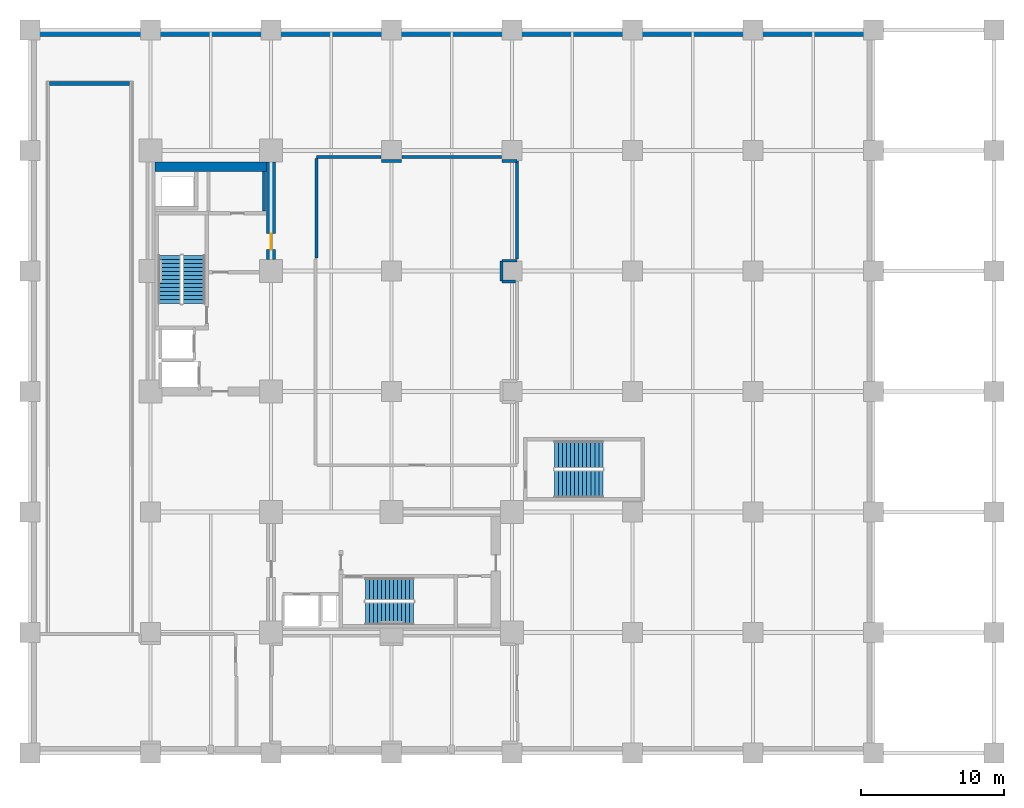
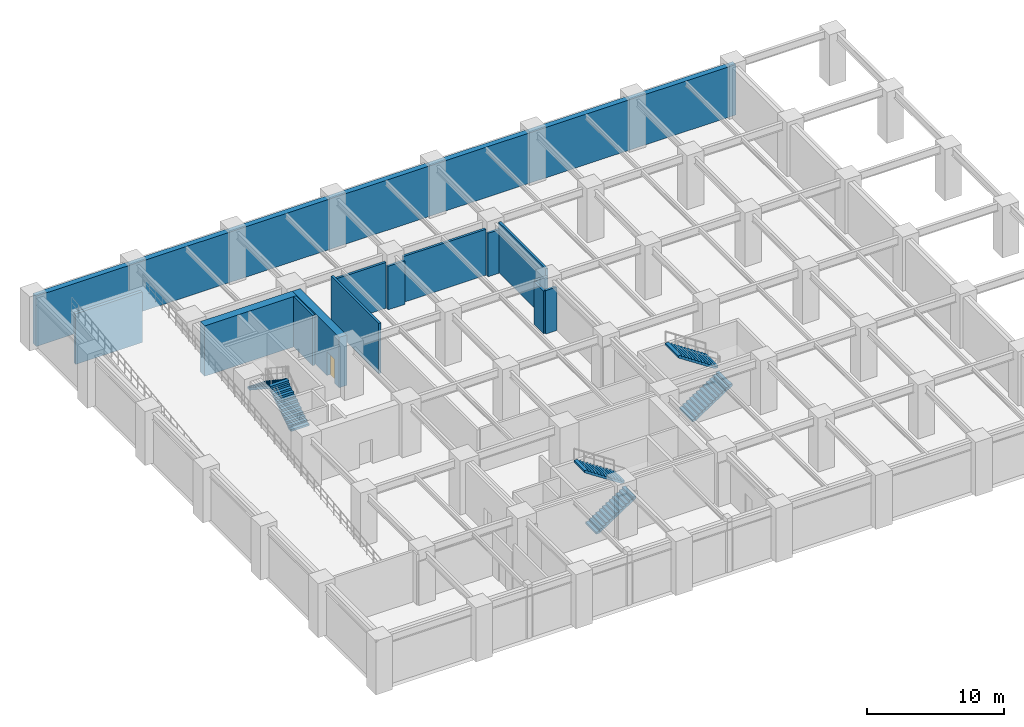
# One storey, part 5 of 7: 14 walls, 6 stair flights, 1 door, 1 opening, 3 elements without a shape of their own.
"""IFC4 building model written with IfcOpenShell, lengths in metres."""

from ifc_helpers import new_model, si_unit, direction, frame, frame_2d, origin, place, context, subcontext, project, spatial, polyline, rectangle, outline, extrude, material, layer, layer_set, type_object, element, fill, aggregate, save


model = new_model("IFC4")

# Units and contexts
model_context = context("Model", 3, precision=1e-05, world=origin(), true_north=direction((0.0, 1.0)))
body_context = subcontext(model_context, "Body", "Model", "MODEL_VIEW")
ifc_project = project(units=[si_unit("LENGTHUNIT", "METRE"), si_unit("AREAUNIT", "SQUARE_METRE"), si_unit("VOLUMEUNIT", "CUBIC_METRE"), si_unit("PLANEANGLEUNIT", "RADIAN"), si_unit("MASSUNIT", "GRAM", prefix="KILO")], contexts=[model_context])

# Site, building, storey
site_placement = place(None, origin())
site = spatial("IfcSite", under=ifc_project, at=site_placement, CompositionType="ELEMENT")
building_placement = place(site_placement, origin())
building = spatial("IfcBuilding", under=site, at=building_placement, Name="Nerrivon Quay Data Exchange", CompositionType="ELEMENT")
storey_placement = place(building_placement, frame((0.0, 0.0, -4.800048828125)))
storey = spatial("IfcBuildingStorey", under=building, at=storey_placement, Name="B01", CompositionType="ELEMENT", Elevation=-4.800048828125)

# Wall
ifc_material_1 = material(Name="Concrete N80 (80 MPa)", Category="concrete")
ifc_layer_1 = layer(ifc_material_1, 0.64990234375)
ifc_layer_set_1 = layer_set([ifc_layer_1], Name="Concrete N80 (80 MPa)")
wall_type_1 = type_object("IfcWallType", Name="WALL-CW-850", PredefinedType="SHEAR", material=ifc_layer_set_1)
wall_1_placement = place(storey_placement, frame((8.72509765625, 40.875, 0.0), z_axis=(0.0, 0.0, 1.0), x_axis=(1.0, 0.0, 0.0)))
element("IfcWall", 1, at=wall_1_placement, inside=storey, type_object=wall_type_1, Name="B01 West Split-Core Shear Wall WCW-N1", PredefinedType="SHEAR", context=body_context, shape_type="SweptSolid", body=[
    extrude(rectangle(XDim=7.75, YDim=0.64990234375, at=frame_2d((3.875, 0.0))), origin(), (0.0, 0.0, 1.0), 4.47998046875),
])

# Wall, opening, door
wall_2_placement = place(storey_placement, frame((16.800048828125, 34.39990234375, 0.0), z_axis=(0.0, 0.0, 1.0), x_axis=(0.0, 1.0, 0.0)))
wall_2 = element("IfcWall", 2, at=wall_2_placement, inside=storey, type_object=wall_type_1, Name="B01 West Split-Core Shear Wall WCW-E1", PredefinedType="SHEAR", context=body_context, shape_type="SweptSolid", body=[
    extrude(rectangle(XDim=6.800048828125, YDim=0.64990234375, at=frame_2d((3.39990234375, 0.0))), origin(), (0.0, 0.0, 1.0), 4.47998046875),
])
opening_placement = place(wall_2_placement, frame((0.699951171875, 0.0, 0.0)))
opening = element("IfcOpeningElement", 3, at=opening_placement, cuts=wall_2, Name="Opening FD-120", PredefinedType="OPENING", context=body_context, shape_type="SweptSolid", body=[
    extrude(rectangle(XDim=1.10009765625, YDim=2.14990234375, at=frame_2d((0.550048828125, 1.074951171875))), frame((0.0, 0.3349609375, 0.0), z_axis=(0.0, -1.0, 0.0), x_axis=(1.0, 0.0, 0.0)), (0.0, 0.0, 1.0), 0.669921875),
])
ifc_material_2 = material(Name="Powder-coated galvanized steel sheet", Category="steel")
door_type = type_object("IfcDoorType", Name="DR-FD120-1100", OperationType="NOTDEFINED", PredefinedType="DOOR", material=ifc_material_2)
door_placement = place(opening_placement, origin())
door = element("IfcDoor", 4, at=door_placement, inside=storey, type_object=door_type, Name="B01 West Core Lobby Fire Door", OperationType="SINGLE_SWING_LEFT", OverallHeight=2.14990234375, OverallWidth=1.10009765625, PredefinedType="DOOR", context=body_context, shape_type="SweptSolid", body=[
    extrude(rectangle(XDim=1.10009765625, YDim=2.14990234375, at=frame_2d((0.550048828125, 1.074951171875))), frame((0.0, 0.02490234375, 0.0), z_axis=(0.0, -1.0, 0.0), x_axis=(1.0, 0.0, 0.0)), (0.0, 0.0, 1.0), 0.050048828125),
])
fill(opening, door)

# Walls
ifc_material_3 = material(Name="Gypsum plasterboard on cold-formed framing", Category="gypsum")
ifc_layer_2 = layer(ifc_material_3, 0.199951171875)
ifc_layer_set_2 = layer_set([ifc_layer_2], Name="Gypsum plasterboard on cold-formed framing")
wall_type_2 = type_object("IfcWallType", Name="WALL-FW-200", PredefinedType="PARTITIONING", material=ifc_layer_set_2)
wall_3_placement = place(storey_placement, frame((16.300048828125, 37.780029296875, 0.0), z_axis=(0.0, 0.0, 1.0), x_axis=(0.0, 1.0, 0.0)))
element("IfcWall", 5, at=wall_3_placement, inside=storey, type_object=wall_type_2, Name="B01 Partition Electrical Switchboard Closet", PredefinedType="PARTITIONING", context=body_context, shape_type="SweptSolid", body=[
    extrude(rectangle(XDim=2.765869140625, YDim=0.199951171875, at=frame_2d((1.3828125, 0.0))), origin(), (0.0, 0.0, 1.0), 4.47998046875),
])
wall_4_placement = place(storey_placement, frame((33.8359375, 32.8798828125, 0.0), z_axis=(0.0, 0.0, 1.0), x_axis=(-1.0, 0.0, 0.0)))
element("IfcWall", 6, at=wall_4_placement, inside=storey, type_object=wall_type_2, Name="B01 Partition Heavy Rigid Vehicle Loading Dock", PredefinedType="PARTITIONING", context=body_context, shape_type="SweptSolid", body=[
    extrude(rectangle(XDim=0.93603515625, YDim=0.199951171875, at=frame_2d((0.468017578125, 0.0))), origin(), (0.0, 0.0, 1.0), 3.8681640625),
])
wall_5_placement = place(storey_placement, frame((32.8798828125, 32.89990234375, 0.0), z_axis=(0.0, 0.0, 1.0), x_axis=(0.0, 1.0, 0.0)))
element("IfcWall", 7, at=wall_5_placement, inside=storey, type_object=wall_type_2, Name="B01 Partition Heavy Rigid Vehicle Loading Dock", PredefinedType="PARTITIONING", context=body_context, shape_type="SweptSolid", body=[
    extrude(rectangle(XDim=1.400146484375, YDim=0.199951171875, at=frame_2d((0.7001953125, 0.0))), origin(), (0.0, 0.0, 1.0), 3.780029296875),
])
wall_6_placement = place(storey_placement, frame((32.89990234375, 34.320068359375, 0.0), z_axis=(0.0, 0.0, 1.0), x_axis=(1.0, 0.0, 0.0)))
element("IfcWall", 8, at=wall_6_placement, inside=storey, type_object=wall_type_2, Name="B01 Partition Heavy Rigid Vehicle Loading Dock", PredefinedType="PARTITIONING", context=body_context, shape_type="SweptSolid", body=[
    extrude(rectangle(XDim=1.0400390625, YDim=0.199951171875, at=frame_2d((0.52001953125, 0.0))), origin(), (0.0, 0.0, 1.0), 3.8681640625),
])
wall_7_placement = place(storey_placement, frame((33.93994140625, 34.424072265625, 0.0), z_axis=(0.0, 0.0, 1.0), x_axis=(0.0, 1.0, 0.0)))
element("IfcWall", 9, at=wall_7_placement, inside=storey, type_object=wall_type_2, Name="B01 Partition Heavy Rigid Vehicle Loading Dock", PredefinedType="PARTITIONING", context=body_context, shape_type="SweptSolid", body=[
    extrude(rectangle(XDim=6.85595703125, YDim=0.199951171875, at=frame_2d((3.427978515625, 0.0))), origin(), (0.0, 0.0, 1.0), 4.47998046875),
])
wall_8_placement = place(storey_placement, frame((33.93994140625, 41.280029296875, 0.0), z_axis=(0.0, 0.0, 1.0), x_axis=(-0.999999890616, 0.000467726796, 0.0)))
element("IfcWall", 10, at=wall_8_placement, inside=storey, type_object=wall_type_2, Name="B01 Partition Heavy Rigid Vehicle Loading Dock", PredefinedType="PARTITIONING", context=body_context, shape_type="SweptSolid", body=[
    extrude(rectangle(XDim=1.0439453125, YDim=0.199951171875, at=frame_2d((0.52197265625, 0.0))), origin(), (0.0, 0.0, 1.0), 3.8681640625),
])
wall_9_placement = place(storey_placement, frame((32.8798828125, 41.5400390625, 0.0), z_axis=(0.0, 0.0, 1.0), x_axis=(-1.0, 0.0, 0.0)))
element("IfcWall", 11, at=wall_9_placement, inside=storey, type_object=wall_type_2, Name="B01 Partition Heavy Rigid Vehicle Loading Dock", PredefinedType="PARTITIONING", context=body_context, shape_type="SweptSolid", body=[
    extrude(rectangle(XDim=6.9599609375, YDim=0.199951171875, at=frame_2d((3.47998046875, 0.0))), origin(), (0.0, 0.0, 1.0), 4.073974609375),
])
wall_10_placement = place(storey_placement, frame((25.90380859375, 41.280517578125, 0.0), z_axis=(0.0, 0.0, 1.0), x_axis=(-0.999999939509, -0.000347826066, 0.0)))
element("IfcWall", 12, at=wall_10_placement, inside=storey, type_object=wall_type_2, Name="B01 Partition Heavy Rigid Vehicle Loading Dock", PredefinedType="PARTITIONING", context=body_context, shape_type="SweptSolid", body=[
    extrude(rectangle(XDim=1.40380859375, YDim=0.199951171875, at=frame_2d((0.701904296875, 0.0))), origin(), (0.0, 0.0, 1.0), 3.8681640625),
])
wall_11_placement = place(storey_placement, frame((24.47998046875, 41.5400390625, 0.0), z_axis=(0.0, 0.0, 1.0), x_axis=(-1.0, 0.0, 0.0)))
element("IfcWall", 13, at=wall_11_placement, inside=storey, type_object=wall_type_2, Name="B01 Partition Heavy Rigid Vehicle Loading Dock", PredefinedType="PARTITIONING", context=body_context, shape_type="SweptSolid", body=[
    extrude(rectangle(XDim=4.52001953125, YDim=0.199951171875, at=frame_2d((2.260009765625, 0.0))), origin(), (0.0, 0.0, 1.0), 4.073974609375),
])
wall_12_placement = place(storey_placement, frame((19.9599609375, 41.43603515625, 0.0), z_axis=(0.0, 0.0, 1.0), x_axis=(0.0, -1.0, 0.0)))
element("IfcWall", 14, at=wall_12_placement, inside=storey, type_object=wall_type_2, Name="B01 Partition Heavy Rigid Vehicle Loading Dock", PredefinedType="PARTITIONING", context=body_context, shape_type="SweptSolid", body=[
    extrude(rectangle(XDim=6.93603515625, YDim=0.199951171875, at=frame_2d((3.468017578125, 0.0))), origin(), (0.0, 0.0, 1.0), 4.47998046875),
])
ifc_material_4 = material(Name="Concrete N50 (50 MPa)", Category="concrete")
ifc_layer_3 = layer(ifc_material_4, 0.449951171875)
ifc_layer_set_3 = layer_set([ifc_layer_3], Name="Concrete N50 (50 MPa)")
wall_type_3 = type_object("IfcWallType", Name="WALL-RET-450", PredefinedType="SOLIDWALL", material=ifc_layer_set_3)
wall_13_placement = place(storey_placement, frame((0.0, 50.175048828125, 0.0), z_axis=(0.0, 0.0, 1.0), x_axis=(1.0, 0.0, 0.0)))
element("IfcWall", 15, at=wall_13_placement, inside=storey, type_object=wall_type_3, Name="B01 Perimeter Retaining Wall N", PredefinedType="SOLIDWALL", context=body_context, shape_type="SweptSolid", body=[
    extrude(rectangle(XDim=58.800048828125, YDim=0.449951171875, at=frame_2d((29.39990234375, 0.0))), origin(), (0.0, 0.0, 1.0), 4.47998046875),
])
ifc_layer_4 = layer(ifc_material_4, 0.25)
ifc_layer_set_4 = layer_set([ifc_layer_4], Name="Concrete N50 (50 MPa)")
wall_type_4 = type_object("IfcWallType", Name="WALL-SW-250", PredefinedType="SHEAR", material=ifc_layer_set_4)
wall_14_placement = place(storey_placement, frame((1.35009765625, 46.675048828125, 0.0), z_axis=(0.0, 0.0, 1.0), x_axis=(1.0, 0.0, 0.0)))
element("IfcWall", 16, at=wall_14_placement, inside=storey, type_object=wall_type_4, Name="B01 Vehicle Ramp North Support Wall", PredefinedType="SHEAR", context=body_context, shape_type="SweptSolid", body=[
    extrude(rectangle(XDim=5.599853515625, YDim=0.25, at=frame_2d((2.7998046875, 0.0))), origin(), (0.0, 0.0, 1.0), 4.5),
])

# Stair, stair flights
stair_type = type_object("IfcStairType", Name="STAIR-DOG-48", PredefinedType="HALF_TURN_STAIR", material=ifc_material_4)
stair_1_placement = place(storey_placement, origin())
stair_1 = element("IfcStair", 17, at=stair_1_placement, inside=storey, type_object=stair_type, Name="B01 West Core Fire Stair ST01", PredefinedType="HALF_TURN_STAIR")
stair_flight_type = type_object("IfcStairFlightType", Name="FLIGHT-DOG-48", PredefinedType="STRAIGHT", material=ifc_material_4)
stair_flight_1_placement = place(storey_placement, frame((11.425048828125, 31.330078125, 0.0), z_axis=(0.0, 0.0, 1.0), x_axis=(0.0, 1.0, 0.0)))
stair_flight_1 = element("IfcStairFlight", 18, at=stair_flight_1_placement, type_object=stair_flight_type, Name="ST01 flight 1", NumberOfRisers=13, NumberOfTreads=12, PredefinedType="STRAIGHT", RiserHeight=0.184615385, TreadLength=0.28, context=body_context, shape_type="SweptSolid", body=[
    extrude(outline(polyline([(0.0, 0.0), (0.0, 0.1845703125), (0.280029296875, 0.1845703125), (0.280029296875, 0.369140625), (0.56005859375, 0.369140625), (0.56005859375, 0.553955078125), (0.840087890625, 0.553955078125), (0.840087890625, 0.738525390625), (1.1201171875, 0.738525390625), (1.1201171875, 0.923095703125), (1.39990234375, 0.923095703125), (1.39990234375, 1.107666015625), (1.679931640625, 1.107666015625), (1.679931640625, 1.292236328125), (1.9599609375, 1.292236328125), (1.9599609375, 1.476806640625), (2.239990234375, 1.476806640625), (2.239990234375, 1.66162109375), (2.52001953125, 1.66162109375), (2.52001953125, 1.84619140625), (2.800048828125, 1.84619140625), (2.800048828125, 2.03076171875), (3.080078125, 2.03076171875), (3.080078125, 2.21533203125), (3.360107421875, 2.21533203125), (3.360107421875, 2.39990234375), (3.360107421875, 2.035888671875), (0.272216796875, 0.0), (0.0, 0.0)])), frame((0.0, 0.77490234375, 0.0), z_axis=(0.0, -1.0, 0.0), x_axis=(1.0, 0.0, 0.0)), (0.0, 0.0, 1.0), 1.550048828125),
])
stair_flight_2_placement = place(storey_placement, frame((9.72509765625, 34.68994140625, 2.400146484375), z_axis=(0.0, 0.0, 1.0), x_axis=(0.0, -1.0, 0.0)))
stair_flight_2 = element("IfcStairFlight", 19, at=stair_flight_2_placement, type_object=stair_flight_type, Name="ST01 flight 2", NumberOfRisers=13, NumberOfTreads=12, PredefinedType="STRAIGHT", RiserHeight=0.184615385, TreadLength=0.28, context=body_context, shape_type="SweptSolid", body=[
    extrude(outline(polyline([(0.0, 0.0), (0.0, 0.1845703125), (0.280029296875, 0.1845703125), (0.280029296875, 0.369140625), (0.56005859375, 0.369140625), (0.56005859375, 0.553955078125), (0.840087890625, 0.553955078125), (0.840087890625, 0.738525390625), (1.1201171875, 0.738525390625), (1.1201171875, 0.923095703125), (1.39990234375, 0.923095703125), (1.39990234375, 1.107666015625), (1.679931640625, 1.107666015625), (1.679931640625, 1.292236328125), (1.9599609375, 1.292236328125), (1.9599609375, 1.476806640625), (2.239990234375, 1.476806640625), (2.239990234375, 1.66162109375), (2.52001953125, 1.66162109375), (2.52001953125, 1.84619140625), (2.800048828125, 1.84619140625), (2.800048828125, 2.03076171875), (3.080078125, 2.03076171875), (3.080078125, 2.21533203125), (3.360107421875, 2.21533203125), (3.360107421875, 2.39990234375), (3.360107421875, 2.035888671875), (0.272216796875, 0.0), (0.0, 0.0)])), frame((0.0, 0.77490234375, 0.0), z_axis=(0.0, -1.0, 0.0), x_axis=(1.0, 0.0, 0.0)), (0.0, 0.0, 1.0), 1.550048828125),
])
aggregate(stair_1, [stair_flight_1, stair_flight_2])

stair_2_placement = place(storey_placement, origin())
stair_2 = element("IfcStair", 20, at=stair_2_placement, inside=storey, type_object=stair_type, Name="B01 East Core Fire Stair ST02", PredefinedType="HALF_TURN_STAIR")
stair_flight_3_placement = place(storey_placement, frame((23.3798828125, 9.72509765625, 0.0), z_axis=(0.0, 0.0, 1.0), x_axis=(1.0, 0.0, 0.0)))
stair_flight_3 = element("IfcStairFlight", 21, at=stair_flight_3_placement, type_object=stair_flight_type, Name="ST02 flight 1", NumberOfRisers=13, NumberOfTreads=12, PredefinedType="STRAIGHT", RiserHeight=0.184615385, TreadLength=0.28, context=body_context, shape_type="SweptSolid", body=[
    extrude(outline(polyline([(0.0, 0.0), (0.0, 0.1845703125), (0.280029296875, 0.1845703125), (0.280029296875, 0.369140625), (0.56005859375, 0.369140625), (0.56005859375, 0.553955078125), (0.840087890625, 0.553955078125), (0.840087890625, 0.738525390625), (1.1201171875, 0.738525390625), (1.1201171875, 0.923095703125), (1.39990234375, 0.923095703125), (1.39990234375, 1.107666015625), (1.679931640625, 1.107666015625), (1.679931640625, 1.292236328125), (1.9599609375, 1.292236328125), (1.9599609375, 1.476806640625), (2.239990234375, 1.476806640625), (2.239990234375, 1.66162109375), (2.52001953125, 1.66162109375), (2.52001953125, 1.84619140625), (2.800048828125, 1.84619140625), (2.800048828125, 2.03076171875), (3.080078125, 2.03076171875), (3.080078125, 2.21533203125), (3.360107421875, 2.21533203125), (3.360107421875, 2.39990234375), (3.360107421875, 2.035888671875), (0.272216796875, 0.0), (0.0, 0.0)])), frame((0.0, 0.77490234375, 0.0), z_axis=(0.0, -1.0, 0.0), x_axis=(1.0, 0.0, 0.0)), (0.0, 0.0, 1.0), 1.550048828125),
])
stair_flight_4_placement = place(storey_placement, frame((26.739990234375, 11.425048828125, 2.400146484375), z_axis=(0.0, 0.0, 1.0), x_axis=(-1.0, 0.0, 0.0)))
stair_flight_4 = element("IfcStairFlight", 22, at=stair_flight_4_placement, type_object=stair_flight_type, Name="ST02 flight 2", NumberOfRisers=13, NumberOfTreads=12, PredefinedType="STRAIGHT", RiserHeight=0.184615385, TreadLength=0.28, context=body_context, shape_type="SweptSolid", body=[
    extrude(outline(polyline([(0.0, 0.0), (0.0, 0.1845703125), (0.280029296875, 0.1845703125), (0.280029296875, 0.369140625), (0.56005859375, 0.369140625), (0.56005859375, 0.553955078125), (0.840087890625, 0.553955078125), (0.840087890625, 0.738525390625), (1.1201171875, 0.738525390625), (1.1201171875, 0.923095703125), (1.39990234375, 0.923095703125), (1.39990234375, 1.107666015625), (1.679931640625, 1.107666015625), (1.679931640625, 1.292236328125), (1.9599609375, 1.292236328125), (1.9599609375, 1.476806640625), (2.239990234375, 1.476806640625), (2.239990234375, 1.66162109375), (2.52001953125, 1.66162109375), (2.52001953125, 1.84619140625), (2.800048828125, 1.84619140625), (2.800048828125, 2.03076171875), (3.080078125, 2.03076171875), (3.080078125, 2.21533203125), (3.360107421875, 2.21533203125), (3.360107421875, 2.39990234375), (3.360107421875, 2.035888671875), (0.272216796875, 0.0), (0.0, 0.0)])), frame((0.0, 0.77490234375, 0.0), z_axis=(0.0, -1.0, 0.0), x_axis=(1.0, 0.0, 0.0)), (0.0, 0.0, 1.0), 1.550048828125),
])
aggregate(stair_2, [stair_flight_3, stair_flight_4])

stair_3_placement = place(storey_placement, origin())
stair_3 = element("IfcStair", 23, at=stair_3_placement, inside=storey, type_object=stair_type, Name="B01 Podium Exit Stair ST03", PredefinedType="HALF_TURN_STAIR")
stair_flight_5_placement = place(storey_placement, frame((36.570068359375, 18.75, 0.0), z_axis=(0.0, 0.0, 1.0), x_axis=(1.0, 0.0, 0.0)))
stair_flight_5 = element("IfcStairFlight", 24, at=stair_flight_5_placement, type_object=stair_flight_type, Name="ST03 flight 1", NumberOfRisers=13, NumberOfTreads=12, PredefinedType="STRAIGHT", RiserHeight=0.184615385, TreadLength=0.28, context=body_context, shape_type="SweptSolid", body=[
    extrude(outline(polyline([(0.0, 0.0), (0.0, 0.1845703125), (0.280029296875, 0.1845703125), (0.280029296875, 0.369140625), (0.56005859375, 0.369140625), (0.56005859375, 0.553955078125), (0.840087890625, 0.553955078125), (0.840087890625, 0.738525390625), (1.1201171875, 0.738525390625), (1.1201171875, 0.923095703125), (1.39990234375, 0.923095703125), (1.39990234375, 1.107666015625), (1.679931640625, 1.107666015625), (1.679931640625, 1.292236328125), (1.9599609375, 1.292236328125), (1.9599609375, 1.476806640625), (2.239990234375, 1.476806640625), (2.239990234375, 1.66162109375), (2.52001953125, 1.66162109375), (2.52001953125, 1.84619140625), (2.800048828125, 1.84619140625), (2.800048828125, 2.03076171875), (3.080078125, 2.03076171875), (3.080078125, 2.21533203125), (3.360107421875, 2.21533203125), (3.360107421875, 2.39990234375), (3.360107421875, 2.035888671875), (0.272216796875, 0.0), (0.0, 0.0)])), frame((0.0, 0.949951171875, 0.0), z_axis=(0.0, -1.0, 0.0), x_axis=(1.0, 0.0, 0.0)), (0.0, 0.0, 1.0), 1.89990234375),
])
stair_flight_6_placement = place(storey_placement, frame((39.929931640625, 20.800048828125, 2.400146484375), z_axis=(0.0, 0.0, 1.0), x_axis=(-1.0, 0.0, 0.0)))
stair_flight_6 = element("IfcStairFlight", 25, at=stair_flight_6_placement, type_object=stair_flight_type, Name="ST03 flight 2", NumberOfRisers=13, NumberOfTreads=12, PredefinedType="STRAIGHT", RiserHeight=0.184615385, TreadLength=0.28, context=body_context, shape_type="SweptSolid", body=[
    extrude(outline(polyline([(0.0, 0.0), (0.0, 0.1845703125), (0.280029296875, 0.1845703125), (0.280029296875, 0.369140625), (0.56005859375, 0.369140625), (0.56005859375, 0.553955078125), (0.840087890625, 0.553955078125), (0.840087890625, 0.738525390625), (1.1201171875, 0.738525390625), (1.1201171875, 0.923095703125), (1.39990234375, 0.923095703125), (1.39990234375, 1.107666015625), (1.679931640625, 1.107666015625), (1.679931640625, 1.292236328125), (1.9599609375, 1.292236328125), (1.9599609375, 1.476806640625), (2.239990234375, 1.476806640625), (2.239990234375, 1.66162109375), (2.52001953125, 1.66162109375), (2.52001953125, 1.84619140625), (2.800048828125, 1.84619140625), (2.800048828125, 2.03076171875), (3.080078125, 2.03076171875), (3.080078125, 2.21533203125), (3.360107421875, 2.21533203125), (3.360107421875, 2.39990234375), (3.360107421875, 2.035888671875), (0.272216796875, 0.0), (0.0, 0.0)])), frame((0.0, 0.949951171875, 0.0), z_axis=(0.0, -1.0, 0.0), x_axis=(1.0, 0.0, 0.0)), (0.0, 0.0, 1.0), 1.89990234375),
])
aggregate(stair_3, [stair_flight_5, stair_flight_6])

save(model, "model.ifc")
